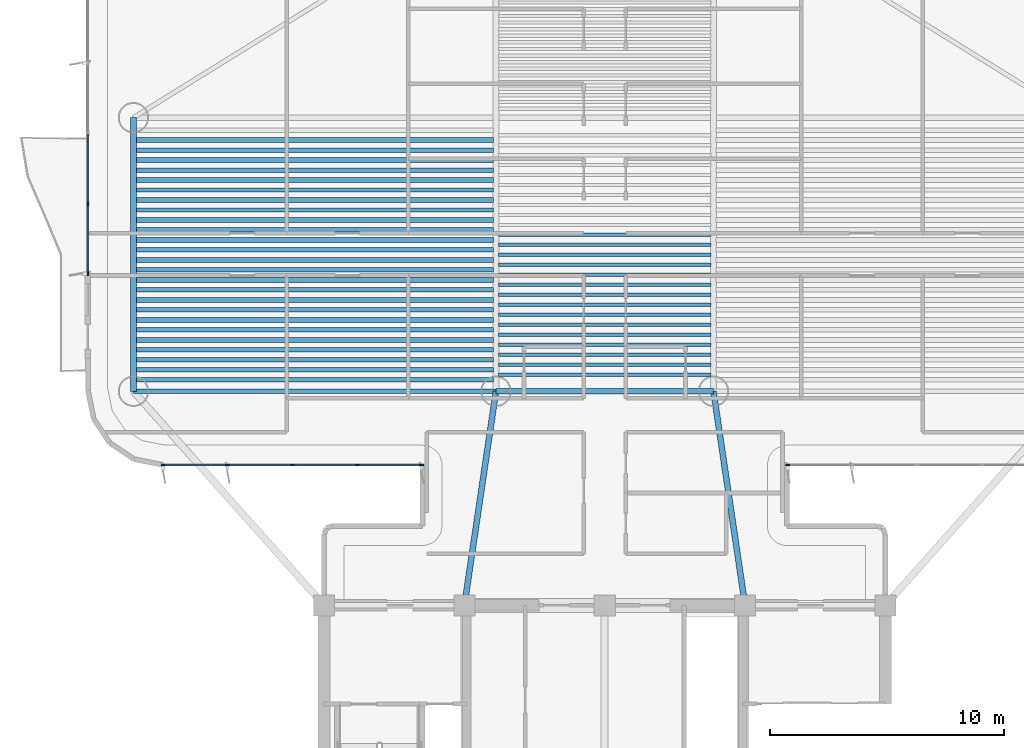
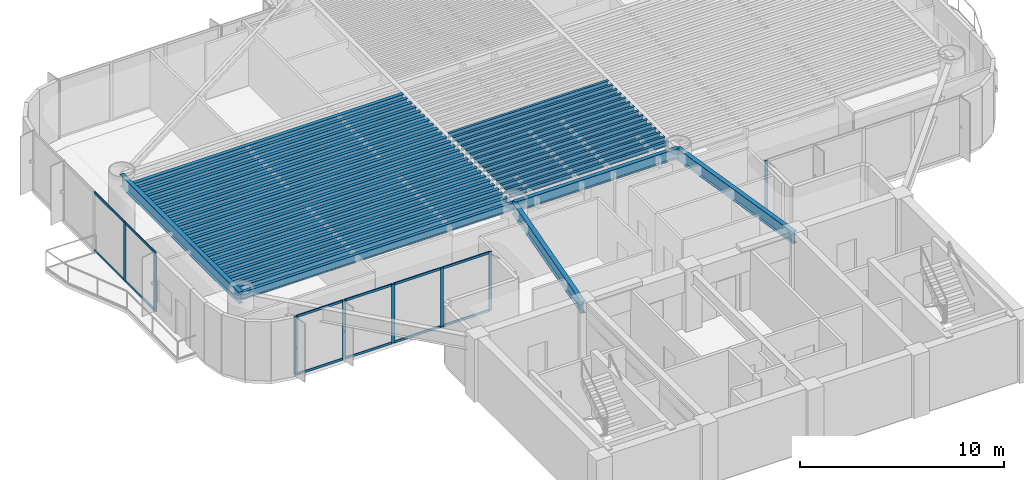
# One storey, part 2 of 16: 45 beams, 20 members, 3 elements without a shape of their own.
"""IFC4 building model written with IfcOpenShell, lengths in metres."""

from ifc_helpers import new_model, si_unit, direction, frame, origin, origin_2d, place, context, subcontext, project, spatial, rectangle, i_section, extrude, source, transform, mapped, material, layer, layer_set, material_profile, profile_set, type_object, element, aggregate, save


model = new_model("IFC4")

# Units and contexts
model_context = context("Model", 3, precision=1e-05, world=origin(), true_north=direction((0.0, 1.0)))
body_context = subcontext(model_context, "Body", "Model", "MODEL_VIEW")
ifc_project = project(units=[si_unit("LENGTHUNIT", "METRE"), si_unit("AREAUNIT", "SQUARE_METRE"), si_unit("VOLUMEUNIT", "CUBIC_METRE"), si_unit("PLANEANGLEUNIT", "RADIAN"), si_unit("MASSUNIT", "GRAM", prefix="KILO")], contexts=[model_context])

# Site, building, storey
site_placement = place(None, origin())
site = spatial("IfcSite", under=ifc_project, at=site_placement, CompositionType="ELEMENT")
building_placement = place(site_placement, origin())
building = spatial("IfcBuilding", under=site, at=building_placement, Name="Brelvock Crest Care Tower", CompositionType="ELEMENT")
storey_placement = place(building_placement, frame((0.0, 0.0, 101.159912109375)))
storey = spatial("IfcBuildingStorey", under=building, at=storey_placement, Name="L25", CompositionType="ELEMENT", Elevation=101.159912109375)

# Beams
ifc_material_1 = material(Name="Steel Grade 350", Category="steel")
ifc_material_profile_1 = material_profile(ifc_material_1, i_section(OverallWidth=0.22900390625, OverallDepth=0.612060546875, WebThickness=0.011962890625, FlangeThickness=0.01953125, FilletRadius=0.013916015625, at=origin_2d()), Name="610UB125")
ifc_profile_set_1 = profile_set([ifc_material_profile_1], Name="Steel Grade 350")
beam_type_1 = type_object("IfcBeamType", Name="BM-G1", PredefinedType="BEAM", material=ifc_profile_set_1)
shared_shape_1 = source(origin(), body_context, "Body", "SweptSolid", [
    extrude(i_section(OverallWidth=0.22900390625, OverallDepth=0.612060546875, WebThickness=0.011962890625, FlangeThickness=0.01953125, FilletRadius=0.013916015625, at=origin_2d()), origin(), (0.0, 0.0, 1.0), 9.2998046875),
])
beam_1_placement = place(storey_placement, frame((31.35009765625, 27.14990234375, 3.22412109375), z_axis=(1.0, 0.0, 0.0), x_axis=(0.0, 1.0, 0.0)))
element("IfcBeam", 1, at=beam_1_placement, inside=storey, type_object=beam_type_1, Name="BM-TWR-L25-05", PredefinedType="BEAM", context=body_context, shape_type="MappedRepresentation", body=[
    mapped(shared_shape_1, transform((0.0, 0.0, 0.0), x_axis=(1.0, 0.0, 0.0), y_axis=(0.0, 1.0, 0.0), z_axis=(0.0, 0.0, 1.0), scale=1.0)),
])
ifc_material_profile_2 = material_profile(ifc_material_1, i_section(OverallWidth=0.14599609375, OverallDepth=0.256103515625, WebThickness=0.00634765625, FlangeThickness=0.010986328125, FilletRadius=0.0087890625, at=origin_2d()), Name="250UB37.3")
ifc_profile_set_2 = profile_set([ifc_material_profile_2], Name="Steel Grade 350")
beam_type_2 = type_object("IfcBeamType", Name="BM-J3", PredefinedType="JOIST", material=ifc_profile_set_2)
shared_shape_2 = source(origin(), body_context, "Body", "SweptSolid", [
    extrude(i_section(OverallWidth=0.14599609375, OverallDepth=0.256103515625, WebThickness=0.00634765625, FlangeThickness=0.010986328125, FilletRadius=0.0087890625, at=origin_2d()), origin(), (0.0, 0.0, 1.0), 9.06982421875),
])
for number, where, z_axis, x_axis, name in (
    (2, (31.465087890625, 27.85498046875, 3.402099609375), (1.0, 0.0, 0.0), (0.0, 1.0, 0.0), "BM-JH-L25-1"),
    (3, (31.465087890625, 28.281982421875, 3.402099609375), (1.0, 0.0, 0.0), (0.0, 1.0, 0.0), "BM-JH-L25-2"),
    (4, (31.465087890625, 28.708984375, 3.402099609375), (1.0, 0.0, 0.0), (0.0, 1.0, 0.0), "BM-JH-L25-3"),
    (5, (31.465087890625, 29.135986328125, 3.402099609375), (1.0, 0.0, 0.0), (0.0, 1.0, 0.0), "BM-JH-L25-4"),
    (6, (31.465087890625, 29.56298828125, 3.402099609375), (1.0, 0.0, 0.0), (0.0, 1.0, 0.0), "BM-JH-L25-5"),
    (7, (31.465087890625, 29.990234375, 3.402099609375), (1.0, 0.0, 0.0), (0.0, 1.0, 0.0), "BM-JH-L25-6"),
    (8, (31.465087890625, 30.417236328125, 3.402099609375), (1.0, 0.0, 0.0), (0.0, 1.0, 0.0), "BM-JH-L25-7"),
    (9, (31.465087890625, 30.84423828125, 3.402099609375), (1.0, 0.0, 0.0), (0.0, 1.0, 0.0), "BM-JH-L25-8"),
    (10, (31.465087890625, 31.271240234375, 3.402099609375), (1.0, 0.0, 0.0), (0.0, 1.0, 0.0), "BM-JH-L25-9"),
    (11, (31.465087890625, 31.698486328125, 3.402099609375), (1.0, 0.0, 0.0), (0.0, 1.0, 0.0), "BM-JH-L25-10"),
    (12, (31.465087890625, 32.12548828125, 3.402099609375), (1.0, 0.0, 0.0), (0.0, 1.0, 0.0), "BM-JH-L25-11"),
    (13, (31.465087890625, 32.552490234375, 3.402099609375), (1.0, 0.0, 0.0), (0.0, 1.0, 0.0), "BM-JH-L25-12"),
    (14, (31.465087890625, 32.9794921875, 3.402099609375), (1.0, 0.0, 0.0), (0.0, 1.0, 0.0), "BM-JH-L25-13"),
    (15, (31.465087890625, 33.406494140625, 3.402099609375), (1.0, 0.0, 0.0), (0.0, 1.0, 0.0), "BM-JH-L25-14"),
    (16, (31.465087890625, 33.83349609375, 3.402099609375), (1.0, 0.0, 0.0), (0.0, 1.0, 0.0), "BM-JH-L25-15"),
):
    element("IfcBeam", number, at=place(storey_placement, frame(where, z_axis=z_axis, x_axis=x_axis)), inside=storey, type_object=beam_type_2, Name=name, PredefinedType="JOIST", context=body_context, shape_type="MappedRepresentation", body=[
        mapped(shared_shape_2, transform((0.0, 0.0, 0.0), x_axis=(1.0, 0.0, 0.0), y_axis=(0.0, 1.0, 0.0), z_axis=(0.0, 0.0, 1.0), scale=1.0)),
    ])
ifc_material_profile_3 = material_profile(ifc_material_1, i_section(OverallWidth=0.208984375, OverallDepth=0.532958984375, WebThickness=0.01025390625, FlangeThickness=0.015625, FilletRadius=0.013916015625, at=origin_2d()), Name="530UB92.4")
ifc_profile_set_3 = profile_set([ifc_material_profile_3], Name="Steel Grade 350")
beam_type_3 = type_object("IfcBeamType", Name="BM-G2", PredefinedType="BEAM", material=ifc_profile_set_3)
shared_shape_3 = source(origin(), body_context, "Body", "SweptSolid", [
    extrude(i_section(OverallWidth=0.208984375, OverallDepth=0.532958984375, WebThickness=0.01025390625, FlangeThickness=0.015625, FilletRadius=0.013916015625, at=origin_2d()), origin(), (0.0, 0.0, 1.0), 15.27001953125),
])
for number, where, z_axis, x_axis, name in (
    (17, (15.965087890625, 27.641357421875, 3.263671875), (1.0, 0.0, 0.0), (0.0, 1.0, 0.0), "BM-JW-L25-1"),
    (18, (15.965087890625, 28.49560546875, 3.263671875), (1.0, 0.0, 0.0), (0.0, 1.0, 0.0), "BM-JW-L25-3"),
    (19, (15.965087890625, 29.349609375, 3.263671875), (1.0, 0.0, 0.0), (0.0, 1.0, 0.0), "BM-JW-L25-5"),
    (20, (15.965087890625, 30.20361328125, 3.263671875), (1.0, 0.0, 0.0), (0.0, 1.0, 0.0), "BM-JW-L25-7"),
    (21, (15.965087890625, 31.057861328125, 3.263671875), (1.0, 0.0, 0.0), (0.0, 1.0, 0.0), "BM-JW-L25-9"),
    (22, (15.965087890625, 31.911865234375, 3.263671875), (1.0, 0.0, 0.0), (0.0, 1.0, 0.0), "BM-JW-L25-11"),
    (23, (15.965087890625, 32.76611328125, 3.263671875), (1.0, 0.0, 0.0), (0.0, 1.0, 0.0), "BM-JW-L25-13"),
    (24, (15.965087890625, 33.6201171875, 3.263671875), (1.0, 0.0, 0.0), (0.0, 1.0, 0.0), "BM-JW-L25-15"),
    (25, (15.965087890625, 34.47412109375, 3.263671875), (1.0, 0.0, 0.0), (0.0, 1.0, 0.0), "BM-JW-L25-17"),
    (26, (15.965087890625, 35.328369140625, 3.263671875), (1.0, 0.0, 0.0), (0.0, 1.0, 0.0), "BM-JW-L25-19"),
    (27, (15.965087890625, 36.182373046875, 3.263671875), (1.0, 0.0, 0.0), (0.0, 1.0, 0.0), "BM-JW-L25-21"),
    (28, (15.965087890625, 37.03662109375, 3.263671875), (1.0, 0.0, 0.0), (0.0, 1.0, 0.0), "BM-JW-L25-23"),
    (29, (15.965087890625, 37.890625, 3.263671875), (1.0, 0.0, 0.0), (0.0, 1.0, 0.0), "BM-JW-L25-25"),
):
    element("IfcBeam", number, at=place(storey_placement, frame(where, z_axis=z_axis, x_axis=x_axis)), inside=storey, type_object=beam_type_3, Name=name, PredefinedType="BEAM", context=body_context, shape_type="MappedRepresentation", body=[
        mapped(shared_shape_3, transform((0.0, 0.0, 0.0), x_axis=(1.0, 0.0, 0.0), y_axis=(0.0, 1.0, 0.0), z_axis=(0.0, 0.0, 1.0), scale=1.0)),
    ])
ifc_material_profile_4 = material_profile(ifc_material_1, i_section(OverallWidth=0.19091796875, OverallDepth=0.4599609375, WebThickness=0.010009765625, FlangeThickness=0.01611328125, FilletRadius=0.011474609375, at=origin_2d()), Name="460UB82.1")
ifc_profile_set_4 = profile_set([ifc_material_profile_4], Name="Steel Grade 350")
beam_type_4 = type_object("IfcBeamType", Name="BM-G3", PredefinedType="BEAM", material=ifc_profile_set_4)
shared_shape_4 = source(origin(), body_context, "Body", "SweptSolid", [
    extrude(i_section(OverallWidth=0.19091796875, OverallDepth=0.4599609375, WebThickness=0.010009765625, FlangeThickness=0.01611328125, FilletRadius=0.011474609375, at=origin_2d()), origin(), (0.0, 0.0, 1.0), 15.27001953125),
])
for number, where, z_axis, x_axis, name in (
    (30, (15.965087890625, 28.068359375, 3.300048828125), (1.0, 0.0, 0.0), (0.0, 1.0, 0.0), "BM-JW-L25-2"),
    (31, (15.965087890625, 28.922607421875, 3.300048828125), (1.0, 0.0, 0.0), (0.0, 1.0, 0.0), "BM-JW-L25-4"),
    (32, (15.965087890625, 29.776611328125, 3.300048828125), (1.0, 0.0, 0.0), (0.0, 1.0, 0.0), "BM-JW-L25-6"),
    (33, (15.965087890625, 30.630615234375, 3.300048828125), (1.0, 0.0, 0.0), (0.0, 1.0, 0.0), "BM-JW-L25-8"),
    (34, (15.965087890625, 31.48486328125, 3.300048828125), (1.0, 0.0, 0.0), (0.0, 1.0, 0.0), "BM-JW-L25-10"),
    (35, (15.965087890625, 32.3388671875, 3.300048828125), (1.0, 0.0, 0.0), (0.0, 1.0, 0.0), "BM-JW-L25-12"),
    (36, (15.965087890625, 33.193115234375, 3.300048828125), (1.0, 0.0, 0.0), (0.0, 1.0, 0.0), "BM-JW-L25-14"),
    (37, (15.965087890625, 34.047119140625, 3.300048828125), (1.0, 0.0, 0.0), (0.0, 1.0, 0.0), "BM-JW-L25-16"),
    (38, (15.965087890625, 34.901123046875, 3.300048828125), (1.0, 0.0, 0.0), (0.0, 1.0, 0.0), "BM-JW-L25-18"),
    (39, (15.965087890625, 35.75537109375, 3.300048828125), (1.0, 0.0, 0.0), (0.0, 1.0, 0.0), "BM-JW-L25-20"),
    (40, (15.965087890625, 36.609619140625, 3.300048828125), (1.0, 0.0, 0.0), (0.0, 1.0, 0.0), "BM-JW-L25-22"),
    (41, (15.965087890625, 37.46337890625, 3.300048828125), (1.0, 0.0, 0.0), (0.0, 1.0, 0.0), "BM-JW-L25-24"),
):
    element("IfcBeam", number, at=place(storey_placement, frame(where, z_axis=z_axis, x_axis=x_axis)), inside=storey, type_object=beam_type_4, Name=name, PredefinedType="BEAM", context=body_context, shape_type="MappedRepresentation", body=[
        mapped(shared_shape_4, transform((0.0, 0.0, 0.0), x_axis=(1.0, 0.0, 0.0), y_axis=(0.0, 1.0, 0.0), z_axis=(0.0, 0.0, 1.0), scale=1.0)),
    ])
ifc_material_profile_5 = material_profile(ifc_material_1, i_section(OverallWidth=0.25, OverallDepth=0.699951171875, WebThickness=0.011962890625, FlangeThickness=0.02001953125, at=origin_2d()), Name="700WB150")
ifc_profile_set_5 = profile_set([ifc_material_profile_5], Name="Steel Grade 350")
beam_type_5 = type_object("IfcBeamType", Name="BM-G4", PredefinedType="BEAM", material=ifc_profile_set_5)
shared_shape_5 = source(origin(), body_context, "Body", "SweptSolid", [
    extrude(i_section(OverallWidth=0.25, OverallDepth=0.699951171875, WebThickness=0.011962890625, FlangeThickness=0.02001953125, at=origin_2d()), origin(), (0.0, 0.0, 1.0), 11.7001953125),
])
beam_2_placement = place(storey_placement, frame((15.85009765625, 27.14990234375, 3.18017578125), z_axis=(0.0, 1.0, 0.0), x_axis=(-1.0, 0.0, 0.0)))
element("IfcBeam", 42, at=beam_2_placement, inside=storey, type_object=beam_type_5, Name="BM-TWR-L25-01", PredefinedType="BEAM", context=body_context, shape_type="MappedRepresentation", body=[
    mapped(shared_shape_5, transform((0.0, 0.0, 0.0), x_axis=(1.0, 0.0, 0.0), y_axis=(0.0, 1.0, 0.0), z_axis=(0.0, 0.0, 1.0), scale=1.0)),
])
ifc_material_profile_6 = material_profile(ifc_material_1, i_section(OverallWidth=0.19091796875, OverallDepth=0.4599609375, WebThickness=0.010009765625, FlangeThickness=0.01611328125, FilletRadius=0.011474609375, at=origin_2d()), Name="460UB82.1")
ifc_profile_set_6 = profile_set([ifc_material_profile_6], Name="Steel Grade 350")
beam_type_6 = type_object("IfcBeamType", Name="BM-SP2", PredefinedType="SPANDREL", material=ifc_profile_set_6)
shared_shape_6 = source(origin(), body_context, "Body", "SweptSolid", [
    extrude(i_section(OverallWidth=0.19091796875, OverallDepth=0.4599609375, WebThickness=0.010009765625, FlangeThickness=0.01611328125, FilletRadius=0.011474609375, at=origin_2d()), origin(), (0.0, 0.0, 1.0), 15.5),
])
beam_3_placement = place(storey_placement, frame((15.85009765625, 27.14990234375, 3.300048828125), z_axis=(1.0, 0.0, 0.0), x_axis=(0.0, 1.0, 0.0)))
element("IfcBeam", 43, at=beam_3_placement, inside=storey, type_object=beam_type_6, Name="BM-TWR-L25-03", PredefinedType="SPANDREL", context=body_context, shape_type="MappedRepresentation", body=[
    mapped(shared_shape_6, transform((0.0, 0.0, 0.0), x_axis=(1.0, 0.0, 0.0), y_axis=(0.0, 1.0, 0.0), z_axis=(0.0, 0.0, 1.0), scale=1.0)),
])
shared_shape_7 = source(origin(), body_context, "Body", "SweptSolid", [
    extrude(i_section(OverallWidth=0.25, OverallDepth=0.699951171875, WebThickness=0.011962890625, FlangeThickness=0.02001953125, at=origin_2d()), origin(), (0.0, 0.0, 1.0), 9.2490234375),
])
for number, where, z_axis, x_axis, name in (
    (44, (30.0, 18.0, 3.18017578125), (0.145972731602, 0.989288613918, 0.0), (-0.989288613918, 0.145972731602, 0.0), "BM-THRW-L25"),
    (45, (42.0, 18.0, 3.18017578125), (-0.145972731602, 0.989288613918, 0.0), (-0.989288613918, -0.145972731602, 0.0), "BM-THRE-L25"),
):
    element("IfcBeam", number, at=place(storey_placement, frame(where, z_axis=z_axis, x_axis=x_axis)), inside=storey, type_object=beam_type_5, Name=name, PredefinedType="BEAM", context=body_context, shape_type="MappedRepresentation", body=[
        mapped(shared_shape_7, transform((0.0, 0.0, 0.0), x_axis=(1.0, 0.0, 0.0), y_axis=(0.0, 1.0, 0.0), z_axis=(0.0, 0.0, 1.0), scale=1.0)),
    ])

# Curtain wall, members
ifc_material_2 = material(Name="Dark Glass Double Glazed Low-E", Category="glass")
ifc_layer = layer(ifc_material_2, 0.2099609375, Name="CWS-3")
ifc_layer_set = layer_set([ifc_layer], Name="Dark Glass Double Glazed Low-E")
curtain_wall_type = type_object("IfcCurtainWallType", Name="CWS-3", PredefinedType="NOTDEFINED", material=ifc_layer_set)
curtain_wall_1_placement = place(storey_placement, origin())
curtain_wall_1 = element("IfcCurtainWall", 46, at=curtain_wall_1_placement, inside=storey, type_object=curtain_wall_type, Name="L25 Curtain Wall E12", PredefinedType="NOTDEFINED")
ifc_material_3 = material(Name="Aluminium 6063-T6", Category="aluminium")
ifc_material_profile_7 = material_profile(ifc_material_3, rectangle(XDim=0.06005859375, YDim=0.179931640625, at=origin_2d()), Name="ALU60x180")
ifc_profile_set_7 = profile_set([ifc_material_profile_7], Name="Aluminium 6063-T6")
member_type_1 = type_object("IfcMemberType", Name="CWM-2", PredefinedType="MULLION", material=ifc_profile_set_7)
shared_shape_8 = source(origin(), body_context, "Body", "SweptSolid", [
    extrude(rectangle(XDim=0.06005859375, YDim=0.179931640625, at=origin_2d()), origin(), (0.0, 0.0, 1.0), 3.530029296875),
])
member_1_placement = place(storey_placement, frame((28.169921875, 24.0, 0.0), z_axis=(0.0, 0.0, 1.0), x_axis=(0.0, -1.0, 0.0)))
member_1 = element("IfcMember", 47, at=member_1_placement, type_object=member_type_1, Name="CW-3 mullion 1", PredefinedType="MULLION", context=body_context, shape_type="MappedRepresentation", body=[
    mapped(shared_shape_8, transform((0.0, 0.0, 0.0), x_axis=(1.0, 0.0, 0.0), y_axis=(0.0, 1.0, 0.0), z_axis=(0.0, 0.0, 1.0), scale=1.0)),
])
member_2_placement = place(storey_placement, frame((25.425048828125, 24.0, 0.0), z_axis=(0.0, 0.0, 1.0), x_axis=(0.0, -1.0, 0.0)))
member_2 = element("IfcMember", 48, at=member_2_placement, type_object=member_type_1, Name="CW-3 mullion 2", PredefinedType="MULLION", context=body_context, shape_type="MappedRepresentation", body=[
    mapped(shared_shape_8, transform((0.0, 0.0, 0.0), x_axis=(1.0, 0.0, 0.0), y_axis=(0.0, 1.0, 0.0), z_axis=(0.0, 0.0, 1.0), scale=1.0)),
])
member_3_placement = place(storey_placement, frame((22.64990234375, 24.0, 0.0), z_axis=(0.0, 0.0, 1.0), x_axis=(0.0, -1.0, 0.0)))
member_3 = element("IfcMember", 49, at=member_3_placement, type_object=member_type_1, Name="CW-3 mullion 3", PredefinedType="MULLION", context=body_context, shape_type="MappedRepresentation", body=[
    mapped(shared_shape_8, transform((0.0, 0.0, 0.0), x_axis=(1.0, 0.0, 0.0), y_axis=(0.0, 1.0, 0.0), z_axis=(0.0, 0.0, 1.0), scale=1.0)),
])
member_4_placement = place(storey_placement, frame((19.875, 24.0, 0.0), z_axis=(0.0, 0.0, 1.0), x_axis=(0.0, -1.0, 0.0)))
member_4 = element("IfcMember", 50, at=member_4_placement, type_object=member_type_1, Name="CW-3 mullion 4", PredefinedType="MULLION", context=body_context, shape_type="MappedRepresentation", body=[
    mapped(shared_shape_8, transform((0.0, 0.0, 0.0), x_axis=(1.0, 0.0, 0.0), y_axis=(0.0, 1.0, 0.0), z_axis=(0.0, 0.0, 1.0), scale=1.0)),
])
member_5_placement = place(storey_placement, frame((17.1298828125, 24.0, 0.0), z_axis=(0.0, 0.0, 1.0), x_axis=(0.0, -1.0, 0.0)))
member_5 = element("IfcMember", 51, at=member_5_placement, type_object=member_type_1, Name="CW-3 mullion 5", PredefinedType="MULLION", context=body_context, shape_type="MappedRepresentation", body=[
    mapped(shared_shape_8, transform((0.0, 0.0, 0.0), x_axis=(1.0, 0.0, 0.0), y_axis=(0.0, 1.0, 0.0), z_axis=(0.0, 0.0, 1.0), scale=1.0)),
])

curtain_wall_2_placement = place(storey_placement, origin())
curtain_wall_2 = element("IfcCurtainWall", 52, at=curtain_wall_2_placement, inside=storey, type_object=curtain_wall_type, Name="L25 Curtain Wall E17B", PredefinedType="NOTDEFINED")
member_6_placement = place(storey_placement, frame((13.89990234375, 32.179931640625, 0.0), z_axis=(0.0, 0.0, 1.0), x_axis=(-1.0, 0.0, 0.0)))
member_6 = element("IfcMember", 53, at=member_6_placement, type_object=member_type_1, Name="CW-3 mullion 1", PredefinedType="MULLION", context=body_context, shape_type="MappedRepresentation", body=[
    mapped(shared_shape_8, transform((0.0, 0.0, 0.0), x_axis=(1.0, 0.0, 0.0), y_axis=(0.0, 1.0, 0.0), z_axis=(0.0, 0.0, 1.0), scale=1.0)),
])
member_7_placement = place(storey_placement, frame((13.89990234375, 35.16259765625, 0.0), z_axis=(0.0, 0.0, 1.0), x_axis=(-1.0, 0.0, 0.0)))
member_7 = element("IfcMember", 54, at=member_7_placement, type_object=member_type_1, Name="CW-3 mullion 2", PredefinedType="MULLION", context=body_context, shape_type="MappedRepresentation", body=[
    mapped(shared_shape_8, transform((0.0, 0.0, 0.0), x_axis=(1.0, 0.0, 0.0), y_axis=(0.0, 1.0, 0.0), z_axis=(0.0, 0.0, 1.0), scale=1.0)),
])

# Curtain wall, member
curtain_wall_3_placement = place(storey_placement, origin())
curtain_wall_3 = element("IfcCurtainWall", 55, at=curtain_wall_3_placement, inside=storey, type_object=curtain_wall_type, Name="L25 Curtain Wall E44", PredefinedType="NOTDEFINED")
member_8_placement = place(storey_placement, frame((43.830078125, 24.0, 0.0), z_axis=(0.0, 0.0, 1.0), x_axis=(0.0, -1.0, 0.0)))
member_8 = element("IfcMember", 56, at=member_8_placement, type_object=member_type_1, Name="CW-3 mullion 5", PredefinedType="MULLION", context=body_context, shape_type="MappedRepresentation", body=[
    mapped(shared_shape_8, transform((0.0, 0.0, 0.0), x_axis=(1.0, 0.0, 0.0), y_axis=(0.0, 1.0, 0.0), z_axis=(0.0, 0.0, 1.0), scale=1.0)),
])
aggregate(curtain_wall_3, [member_8])

# Member
ifc_material_profile_8 = material_profile(ifc_material_3, rectangle(XDim=0.06005859375, YDim=0.139892578125, at=origin_2d()), Name="ALU60x140")
ifc_profile_set_8 = profile_set([ifc_material_profile_8], Name="Aluminium 6063-T6")
member_type_2 = type_object("IfcMemberType", Name="CWT-2", PredefinedType="USERDEFINED", material=ifc_profile_set_8)
shared_shape_9 = source(origin(), body_context, "Body", "SweptSolid", [
    extrude(rectangle(XDim=0.06005859375, YDim=0.139892578125, at=origin_2d()), origin(), (0.0, 0.0, 1.0), 2.684814453125),
])
member_9_placement = place(storey_placement, frame((28.139892578125, 24.0, 0.030029296875), z_axis=(-1.0, 0.0, 0.0), x_axis=(0.0, -1.0, 0.0)))
member_9 = element("IfcMember", 57, at=member_9_placement, type_object=member_type_2, Name="CW-3 transom 1.1", ObjectType="TRANSOM", PredefinedType="USERDEFINED", context=body_context, shape_type="MappedRepresentation", body=[
    mapped(shared_shape_9, transform((0.0, 0.0, 0.0), x_axis=(1.0, 0.0, 0.0), y_axis=(0.0, 1.0, 0.0), z_axis=(0.0, 0.0, 1.0), scale=1.0)),
])

member_10_placement = place(storey_placement, frame((28.139892578125, 24.0, 3.5), z_axis=(-1.0, 0.0, 0.0), x_axis=(0.0, -1.0, 0.0)))
member_10 = element("IfcMember", 58, at=member_10_placement, type_object=member_type_2, Name="CW-3 transom 1.2", ObjectType="TRANSOM", PredefinedType="USERDEFINED", context=body_context, shape_type="MappedRepresentation", body=[
    mapped(shared_shape_9, transform((0.0, 0.0, 0.0), x_axis=(1.0, 0.0, 0.0), y_axis=(0.0, 1.0, 0.0), z_axis=(0.0, 0.0, 1.0), scale=1.0)),
])

shared_shape_10 = source(origin(), body_context, "Body", "SweptSolid", [
    extrude(rectangle(XDim=0.06005859375, YDim=0.139892578125, at=origin_2d()), origin(), (0.0, 0.0, 1.0), 2.715087890625),
])
member_11_placement = place(storey_placement, frame((25.39501953125, 24.0, 0.030029296875), z_axis=(-1.0, 0.0, 0.0), x_axis=(0.0, -1.0, 0.0)))
member_11 = element("IfcMember", 59, at=member_11_placement, type_object=member_type_2, Name="CW-3 transom 2.1", ObjectType="TRANSOM", PredefinedType="USERDEFINED", context=body_context, shape_type="MappedRepresentation", body=[
    mapped(shared_shape_10, transform((0.0, 0.0, 0.0), x_axis=(1.0, 0.0, 0.0), y_axis=(0.0, 1.0, 0.0), z_axis=(0.0, 0.0, 1.0), scale=1.0)),
])

member_12_placement = place(storey_placement, frame((25.39501953125, 24.0, 3.5), z_axis=(-1.0, 0.0, 0.0), x_axis=(0.0, -1.0, 0.0)))
member_12 = element("IfcMember", 60, at=member_12_placement, type_object=member_type_2, Name="CW-3 transom 2.2", ObjectType="TRANSOM", PredefinedType="USERDEFINED", context=body_context, shape_type="MappedRepresentation", body=[
    mapped(shared_shape_10, transform((0.0, 0.0, 0.0), x_axis=(1.0, 0.0, 0.0), y_axis=(0.0, 1.0, 0.0), z_axis=(0.0, 0.0, 1.0), scale=1.0)),
])

member_13_placement = place(storey_placement, frame((22.6201171875, 24.0, 0.030029296875), z_axis=(-1.0, 0.0, 0.0), x_axis=(0.0, -1.0, 0.0)))
member_13 = element("IfcMember", 61, at=member_13_placement, type_object=member_type_2, Name="CW-3 transom 3.1", ObjectType="TRANSOM", PredefinedType="USERDEFINED", context=body_context, shape_type="MappedRepresentation", body=[
    mapped(shared_shape_10, transform((0.0, 0.0, 0.0), x_axis=(1.0, 0.0, 0.0), y_axis=(0.0, 1.0, 0.0), z_axis=(0.0, 0.0, 1.0), scale=1.0)),
])

member_14_placement = place(storey_placement, frame((22.6201171875, 24.0, 3.5), z_axis=(-1.0, 0.0, 0.0), x_axis=(0.0, -1.0, 0.0)))
member_14 = element("IfcMember", 62, at=member_14_placement, type_object=member_type_2, Name="CW-3 transom 3.2", ObjectType="TRANSOM", PredefinedType="USERDEFINED", context=body_context, shape_type="MappedRepresentation", body=[
    mapped(shared_shape_10, transform((0.0, 0.0, 0.0), x_axis=(1.0, 0.0, 0.0), y_axis=(0.0, 1.0, 0.0), z_axis=(0.0, 0.0, 1.0), scale=1.0)),
])

shared_shape_11 = source(origin(), body_context, "Body", "SweptSolid", [
    extrude(rectangle(XDim=0.06005859375, YDim=0.139892578125, at=origin_2d()), origin(), (0.0, 0.0, 1.0), 2.68505859375),
])
member_15_placement = place(storey_placement, frame((19.844970703125, 24.0, 0.030029296875), z_axis=(-1.0, 0.0, 0.0), x_axis=(0.0, -1.0, 0.0)))
member_15 = element("IfcMember", 63, at=member_15_placement, type_object=member_type_2, Name="CW-3 transom 4.1", ObjectType="TRANSOM", PredefinedType="USERDEFINED", context=body_context, shape_type="MappedRepresentation", body=[
    mapped(shared_shape_11, transform((0.0, 0.0, 0.0), x_axis=(1.0, 0.0, 0.0), y_axis=(0.0, 1.0, 0.0), z_axis=(0.0, 0.0, 1.0), scale=1.0)),
])

member_16_placement = place(storey_placement, frame((19.844970703125, 24.0, 3.5), z_axis=(-1.0, 0.0, 0.0), x_axis=(0.0, -1.0, 0.0)))
member_16 = element("IfcMember", 64, at=member_16_placement, type_object=member_type_2, Name="CW-3 transom 4.2", ObjectType="TRANSOM", PredefinedType="USERDEFINED", context=body_context, shape_type="MappedRepresentation", body=[
    mapped(shared_shape_11, transform((0.0, 0.0, 0.0), x_axis=(1.0, 0.0, 0.0), y_axis=(0.0, 1.0, 0.0), z_axis=(0.0, 0.0, 1.0), scale=1.0)),
])

aggregate(curtain_wall_1, [member_1, member_2, member_3, member_4, member_5, member_9, member_10, member_11, member_12, member_13, member_14, member_15, member_16])

shared_shape_12 = source(origin(), body_context, "Body", "SweptSolid", [
    extrude(rectangle(XDim=0.06005859375, YDim=0.139892578125, at=origin_2d()), origin(), (0.0, 0.0, 1.0), 2.922607421875),
])
member_17_placement = place(storey_placement, frame((13.89990234375, 32.2099609375, 0.030029296875), z_axis=(0.0, 1.0, 0.0), x_axis=(-1.0, 0.0, 0.0)))
member_17 = element("IfcMember", 65, at=member_17_placement, type_object=member_type_2, Name="CW-3 transom 1.1", ObjectType="TRANSOM", PredefinedType="USERDEFINED", context=body_context, shape_type="MappedRepresentation", body=[
    mapped(shared_shape_12, transform((0.0, 0.0, 0.0), x_axis=(1.0, 0.0, 0.0), y_axis=(0.0, 1.0, 0.0), z_axis=(0.0, 0.0, 1.0), scale=1.0)),
])

member_18_placement = place(storey_placement, frame((13.89990234375, 32.2099609375, 3.5), z_axis=(0.0, 1.0, 0.0), x_axis=(-1.0, 0.0, 0.0)))
member_18 = element("IfcMember", 66, at=member_18_placement, type_object=member_type_2, Name="CW-3 transom 1.2", ObjectType="TRANSOM", PredefinedType="USERDEFINED", context=body_context, shape_type="MappedRepresentation", body=[
    mapped(shared_shape_12, transform((0.0, 0.0, 0.0), x_axis=(1.0, 0.0, 0.0), y_axis=(0.0, 1.0, 0.0), z_axis=(0.0, 0.0, 1.0), scale=1.0)),
])

shared_shape_13 = source(origin(), body_context, "Body", "SweptSolid", [
    extrude(rectangle(XDim=0.06005859375, YDim=0.139892578125, at=origin_2d()), origin(), (0.0, 0.0, 1.0), 2.95263671875),
])
member_19_placement = place(storey_placement, frame((13.89990234375, 35.1923828125, 0.030029296875), z_axis=(0.0, 1.0, 0.0), x_axis=(-1.0, 0.0, 0.0)))
member_19 = element("IfcMember", 67, at=member_19_placement, type_object=member_type_2, Name="CW-3 transom 2.1", ObjectType="TRANSOM", PredefinedType="USERDEFINED", context=body_context, shape_type="MappedRepresentation", body=[
    mapped(shared_shape_13, transform((0.0, 0.0, 0.0), x_axis=(1.0, 0.0, 0.0), y_axis=(0.0, 1.0, 0.0), z_axis=(0.0, 0.0, 1.0), scale=1.0)),
])

member_20_placement = place(storey_placement, frame((13.89990234375, 35.1923828125, 3.5), z_axis=(0.0, 1.0, 0.0), x_axis=(-1.0, 0.0, 0.0)))
member_20 = element("IfcMember", 68, at=member_20_placement, type_object=member_type_2, Name="CW-3 transom 2.2", ObjectType="TRANSOM", PredefinedType="USERDEFINED", context=body_context, shape_type="MappedRepresentation", body=[
    mapped(shared_shape_13, transform((0.0, 0.0, 0.0), x_axis=(1.0, 0.0, 0.0), y_axis=(0.0, 1.0, 0.0), z_axis=(0.0, 0.0, 1.0), scale=1.0)),
])

aggregate(curtain_wall_2, [member_6, member_7, member_17, member_18, member_19, member_20])

save(model, "model.ifc")
